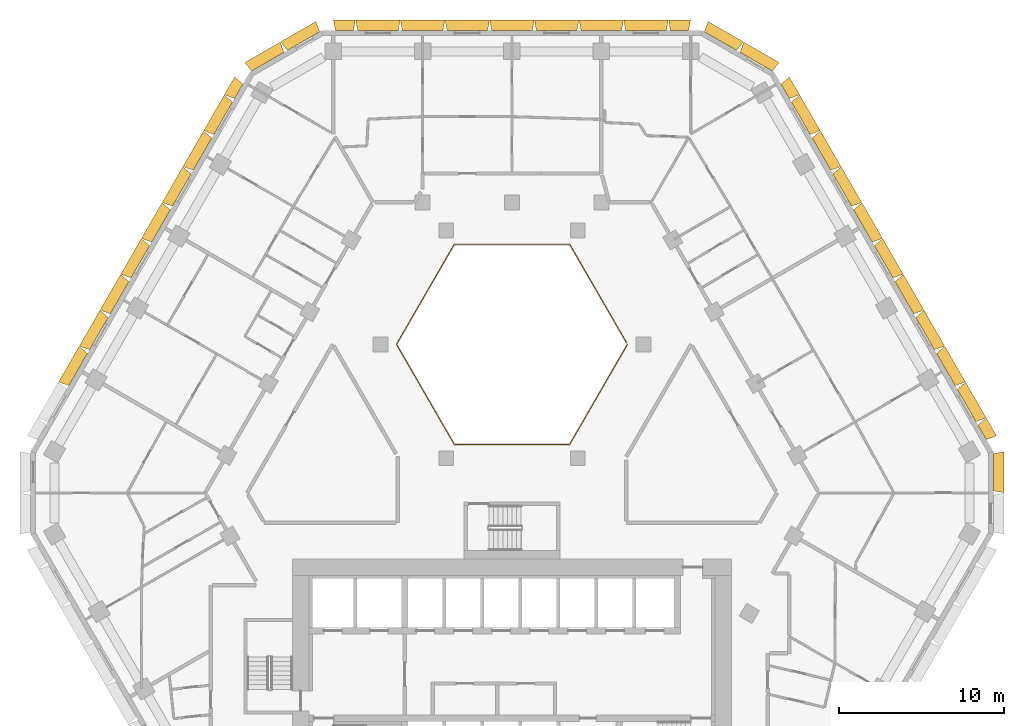
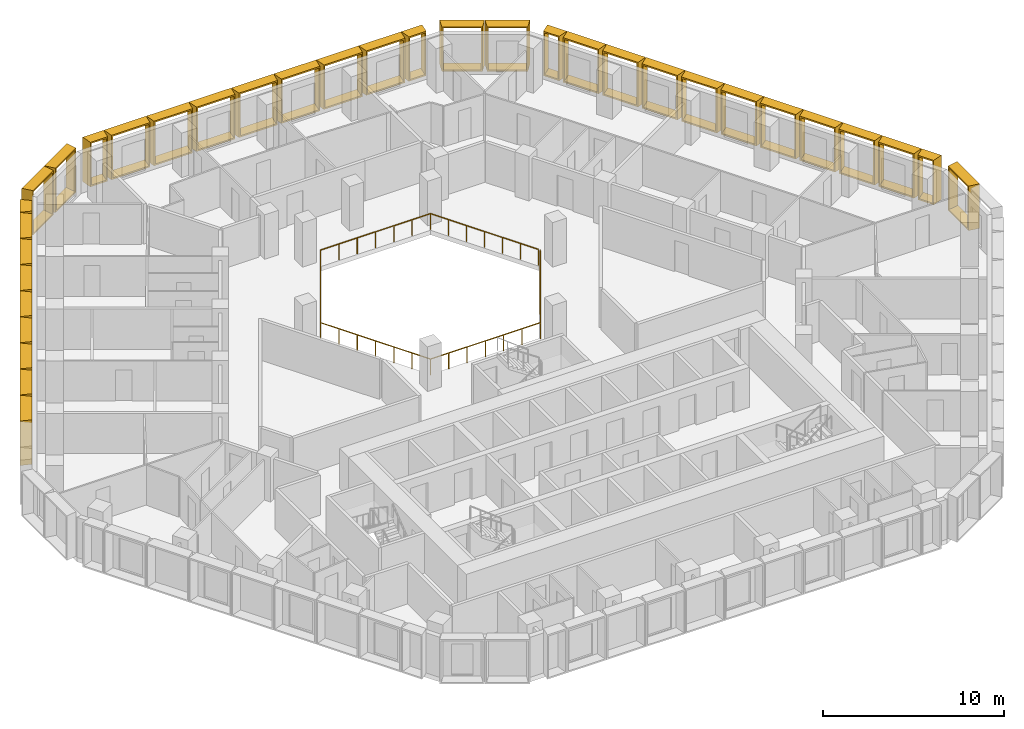
# One storey, part 15 of 15: 34 shading devices, 1 railing.
"""IFC4 building model written with IfcOpenShell, lengths in metres."""

from ifc_helpers import new_model, entity, si_unit, direction, frame, origin, origin_2d, place, context, subcontext, project, spatial, rectangle, extrude, source, transform, mapped, material, type_object, type_shapes, element, save


model = new_model("IFC4")

# Units and contexts
model_context = context("Model", 3, precision=1e-05, world=origin(), true_north=direction((0.0, 1.0)))
body_context = subcontext(model_context, "Body", "Model", "MODEL_VIEW")
ifc_project = project(units=[si_unit("LENGTHUNIT", "METRE"), si_unit("AREAUNIT", "SQUARE_METRE"), si_unit("VOLUMEUNIT", "CUBIC_METRE"), si_unit("PLANEANGLEUNIT", "RADIAN"), si_unit("MASSUNIT", "GRAM", prefix="KILO")], contexts=[model_context])

# Site, building, storey
site_placement = place(None, origin())
site = spatial("IfcSite", under=ifc_project, at=site_placement, CompositionType="ELEMENT")
building_placement = place(site_placement, origin())
building = spatial("IfcBuilding", under=site, at=building_placement, Name="Beryl Residences", CompositionType="ELEMENT")
storey_placement = place(building_placement, frame((0.0, 0.0, 102.0)))
storey = spatial("IfcBuildingStorey", under=building, at=storey_placement, Name="L31", CompositionType="ELEMENT", Elevation=102.0)

# Railing
ifc_material_1 = material(Name="Stainless steel balustrade with glass infill", Category="steel")
railing_type = type_object("IfcRailingType", Name="EG1 edge guard 1100 mm", PredefinedType="GUARDRAIL", material=ifc_material_1)
railing_placement = place(storey_placement, frame((6.9970703125, 8.0, 0.0)))
element("IfcRailing", 1, at=railing_placement, inside=storey, type_object=railing_type, Name="L31 atrium guard", PredefinedType="GUARDRAIL", context=body_context, shape_type="SweptSolid", body=[
    extrude(rectangle(XDim=0.048095703125, YDim=0.048095703125, at=origin_2d()), frame((0.0, 0.0, 1.076171875), z_axis=(-0.499921796684, -0.866070549782, 0.0), x_axis=(0.866070549782, -0.499921796684, 0.0)), (0.0, 0.0, 1.0), 6.9970703125),
    extrude(rectangle(XDim=0.048095703125, YDim=0.048095703125, at=origin_2d()), frame((-3.498046875, -6.06005859375, 1.076171875), z_axis=(-1.0, 0.0, 0.0), x_axis=(0.0, -1.0, 0.0)), (0.0, 0.0, 1.0), 6.998046875),
    extrude(rectangle(XDim=0.048095703125, YDim=0.048095703125, at=origin_2d()), frame((-10.49609375, -6.06005859375, 1.076171875), z_axis=(-0.499921796684, 0.866070549782, 0.0), x_axis=(-0.866070549782, -0.499921796684, 0.0)), (0.0, 0.0, 1.0), 6.9970703125),
    extrude(rectangle(XDim=0.048095703125, YDim=0.048095703125, at=origin_2d()), frame((-13.994140625, 0.0, 1.076171875), z_axis=(0.499921796684, 0.866070549782, 0.0), x_axis=(-0.866070549782, 0.499921796684, 0.0)), (0.0, 0.0, 1.0), 6.9970703125),
    extrude(rectangle(XDim=0.048095703125, YDim=0.048095703125, at=origin_2d()), frame((-10.49609375, 6.06005859375, 1.076171875), z_axis=(1.0, 0.0, 0.0), x_axis=(0.0, 1.0, 0.0)), (0.0, 0.0, 1.0), 6.998046875),
    extrude(rectangle(XDim=0.048095703125, YDim=0.048095703125, at=origin_2d()), frame((-3.498046875, 6.06005859375, 1.076171875), z_axis=(0.499919131929, -0.866072087953, 0.0), x_axis=(0.866072087953, 0.499919131929, 0.0)), (0.0, 0.0, 1.0), 6.877197265625),
    extrude(rectangle(XDim=0.0419921875, YDim=0.0419921875, at=origin_2d()), origin(), (0.0, 0.0, 1.0), 1.052001953125),
    extrude(rectangle(XDim=0.0419921875, YDim=0.0419921875, at=origin_2d()), frame((-0.5830078125, -1.010009765625, 0.0)), (0.0, 0.0, 1.0), 1.052001953125),
    extrude(rectangle(XDim=0.0419921875, YDim=0.0419921875, at=origin_2d()), frame((-1.166015625, -2.02001953125, 0.0)), (0.0, 0.0, 1.0), 1.052001953125),
    extrude(rectangle(XDim=0.0419921875, YDim=0.0419921875, at=origin_2d()), frame((-1.7490234375, -3.030029296875, 0.0)), (0.0, 0.0, 1.0), 1.052001953125),
    extrude(rectangle(XDim=0.0419921875, YDim=0.0419921875, at=origin_2d()), frame((-2.33203125, -4.0400390625, 0.0)), (0.0, 0.0, 1.0), 1.052001953125),
    extrude(rectangle(XDim=0.0419921875, YDim=0.0419921875, at=origin_2d()), frame((-2.9150390625, -5.050048828125, 0.0)), (0.0, 0.0, 1.0), 1.052001953125),
    extrude(rectangle(XDim=0.0419921875, YDim=0.0419921875, at=origin_2d()), frame((-3.498046875, -6.06005859375, 0.0)), (0.0, 0.0, 1.0), 1.052001953125),
    extrude(rectangle(XDim=0.0419921875, YDim=0.0419921875, at=origin_2d()), frame((-4.664306640625, -6.06005859375, 0.0)), (0.0, 0.0, 1.0), 1.052001953125),
    extrude(rectangle(XDim=0.0419921875, YDim=0.0419921875, at=origin_2d()), frame((-5.830810546875, -6.06005859375, 0.0)), (0.0, 0.0, 1.0), 1.052001953125),
    extrude(rectangle(XDim=0.0419921875, YDim=0.0419921875, at=origin_2d()), frame((-6.9970703125, -6.06005859375, 0.0)), (0.0, 0.0, 1.0), 1.052001953125),
    extrude(rectangle(XDim=0.0419921875, YDim=0.0419921875, at=origin_2d()), frame((-8.163330078125, -6.06005859375, 0.0)), (0.0, 0.0, 1.0), 1.052001953125),
    extrude(rectangle(XDim=0.0419921875, YDim=0.0419921875, at=origin_2d()), frame((-9.329833984375, -6.06005859375, 0.0)), (0.0, 0.0, 1.0), 1.052001953125),
    extrude(rectangle(XDim=0.0419921875, YDim=0.0419921875, at=origin_2d()), frame((-10.49609375, -6.06005859375, 0.0)), (0.0, 0.0, 1.0), 1.052001953125),
    extrude(rectangle(XDim=0.0419921875, YDim=0.0419921875, at=origin_2d()), frame((-11.0791015625, -5.050048828125, 0.0)), (0.0, 0.0, 1.0), 1.052001953125),
    extrude(rectangle(XDim=0.0419921875, YDim=0.0419921875, at=origin_2d()), frame((-11.662109375, -4.0400390625, 0.0)), (0.0, 0.0, 1.0), 1.052001953125),
    extrude(rectangle(XDim=0.0419921875, YDim=0.0419921875, at=origin_2d()), frame((-12.2451171875, -3.030029296875, 0.0)), (0.0, 0.0, 1.0), 1.052001953125),
    extrude(rectangle(XDim=0.0419921875, YDim=0.0419921875, at=origin_2d()), frame((-12.828125, -2.02001953125, 0.0)), (0.0, 0.0, 1.0), 1.052001953125),
    extrude(rectangle(XDim=0.0419921875, YDim=0.0419921875, at=origin_2d()), frame((-13.4111328125, -1.010009765625, 0.0)), (0.0, 0.0, 1.0), 1.052001953125),
    extrude(rectangle(XDim=0.0419921875, YDim=0.0419921875, at=origin_2d()), frame((-13.994140625, 0.0, 0.0)), (0.0, 0.0, 1.0), 1.052001953125),
    extrude(rectangle(XDim=0.0419921875, YDim=0.0419921875, at=origin_2d()), frame((-13.4111328125, 1.010009765625, 0.0)), (0.0, 0.0, 1.0), 1.052001953125),
    extrude(rectangle(XDim=0.0419921875, YDim=0.0419921875, at=origin_2d()), frame((-12.828125, 2.02001953125, 0.0)), (0.0, 0.0, 1.0), 1.052001953125),
    extrude(rectangle(XDim=0.0419921875, YDim=0.0419921875, at=origin_2d()), frame((-12.2451171875, 3.030029296875, 0.0)), (0.0, 0.0, 1.0), 1.052001953125),
    extrude(rectangle(XDim=0.0419921875, YDim=0.0419921875, at=origin_2d()), frame((-11.662109375, 4.0400390625, 0.0)), (0.0, 0.0, 1.0), 1.052001953125),
    extrude(rectangle(XDim=0.0419921875, YDim=0.0419921875, at=origin_2d()), frame((-11.0791015625, 5.050048828125, 0.0)), (0.0, 0.0, 1.0), 1.052001953125),
    extrude(rectangle(XDim=0.0419921875, YDim=0.0419921875, at=origin_2d()), frame((-10.49609375, 6.06005859375, 0.0)), (0.0, 0.0, 1.0), 1.052001953125),
    extrude(rectangle(XDim=0.0419921875, YDim=0.0419921875, at=origin_2d()), frame((-9.329833984375, 6.06005859375, 0.0)), (0.0, 0.0, 1.0), 1.052001953125),
    extrude(rectangle(XDim=0.0419921875, YDim=0.0419921875, at=origin_2d()), frame((-8.163330078125, 6.06005859375, 0.0)), (0.0, 0.0, 1.0), 1.052001953125),
    extrude(rectangle(XDim=0.0419921875, YDim=0.0419921875, at=origin_2d()), frame((-6.9970703125, 6.06005859375, 0.0)), (0.0, 0.0, 1.0), 1.052001953125),
    extrude(rectangle(XDim=0.0419921875, YDim=0.0419921875, at=origin_2d()), frame((-5.830810546875, 6.06005859375, 0.0)), (0.0, 0.0, 1.0), 1.052001953125),
    extrude(rectangle(XDim=0.0419921875, YDim=0.0419921875, at=origin_2d()), frame((-4.664306640625, 6.06005859375, 0.0)), (0.0, 0.0, 1.0), 1.052001953125),
    extrude(rectangle(XDim=0.0419921875, YDim=0.0419921875, at=origin_2d()), frame((-3.498046875, 6.06005859375, 0.0)), (0.0, 0.0, 1.0), 1.052001953125),
    extrude(rectangle(XDim=0.0419921875, YDim=0.0419921875, at=origin_2d()), frame((-2.925048828125, 5.0673828125, 0.0)), (0.0, 0.0, 1.0), 1.052001953125),
    extrude(rectangle(XDim=0.0419921875, YDim=0.0419921875, at=origin_2d()), frame((-2.35205078125, 4.07470703125, 0.0)), (0.0, 0.0, 1.0), 1.052001953125),
    extrude(rectangle(XDim=0.0419921875, YDim=0.0419921875, at=origin_2d()), frame((-1.779052734375, 3.08203125, 0.0)), (0.0, 0.0, 1.0), 1.052001953125),
    extrude(rectangle(XDim=0.0419921875, YDim=0.0419921875, at=origin_2d()), frame((-1.2060546875, 2.08935546875, 0.0)), (0.0, 0.0, 1.0), 1.052001953125),
    extrude(rectangle(XDim=0.0419921875, YDim=0.0419921875, at=origin_2d()), frame((-0.633056640625, 1.0966796875, 0.0)), (0.0, 0.0, 1.0), 1.052001953125),
    extrude(rectangle(XDim=0.0419921875, YDim=0.0419921875, at=origin_2d()), frame((-0.06005859375, 0.10400390625, 0.0)), (0.0, 0.0, 1.0), 1.052001953125),
])

# Shading devices
ifc_material_2 = material(Name="Aluminium pale anodised", Category="aluminium")
shading_device_type_1 = type_object("IfcShadingDeviceType", Name="FR126-65A OUTER SKIN frame 650 mm deep, splay 10/10 deg, 1260 x 3000 mm cell", PredefinedType="USERDEFINED", material=ifc_material_2)
cartesian_point_1 = entity("IfcCartesianPoint", [-0.5048828125, 0.0])
cartesian_point_2 = entity("IfcCartesianPoint", [-0.423828125, 0.10009765625])
cartesian_point_3 = entity("IfcCartesianPoint", [-0.61962890625, 0.0])
cartesian_point_4 = entity("IfcCartesianPoint", [-0.538330078125, 0.10009765625])
shared_shape_1 = source(origin(), body_context, "Body", "SweptSolid", [
    entity("IfcExtrudedAreaSolidTapered", entity("IfcArbitraryProfileDefWithVoids", "AREA", None, entity("IfcPolyline", [cartesian_point_1, entity("IfcCartesianPoint", [0.5048828125, 0.0]), entity("IfcCartesianPoint", [0.5048828125, 3.0]), entity("IfcCartesianPoint", [-0.5048828125, 3.0]), cartesian_point_1]), [entity("IfcPolyline", [cartesian_point_2, entity("IfcCartesianPoint", [0.423828125, 0.10009765625]), entity("IfcCartesianPoint", [0.423828125, 2.89990234375]), entity("IfcCartesianPoint", [-0.423828125, 2.89990234375]), cartesian_point_2])]), entity("IfcAxis2Placement3D", entity("IfcCartesianPoint", [0.0, 0.0, 0.0]), entity("IfcDirection", [0.0, 1.0, 0.0]), entity("IfcDirection", [-1.0, 0.0, 0.0])), entity("IfcDirection", [0.0, 0.0, 1.0]), 0.64990234375, entity("IfcArbitraryProfileDefWithVoids", "AREA", None, entity("IfcPolyline", [cartesian_point_3, entity("IfcCartesianPoint", [0.61962890625, 0.0]), entity("IfcCartesianPoint", [0.61962890625, 3.0]), entity("IfcCartesianPoint", [-0.61962890625, 3.0]), cartesian_point_3]), [entity("IfcPolyline", [cartesian_point_4, entity("IfcCartesianPoint", [0.538330078125, 0.10009765625]), entity("IfcCartesianPoint", [0.538330078125, 2.89990234375]), entity("IfcCartesianPoint", [-0.538330078125, 2.89990234375]), cartesian_point_4])])),
])
type_shapes(shading_device_type_1, [shared_shape_1])
for number, where, z_axis, x_axis, name in (
    (2, (-16.552001953125, 23.33203125, 0.0), (0.0, 0.0, 1.0), (0.5, 0.866025403784, 0.0), "FR126-65A frame L31 NW 1"),
    (3, (28.48193359375, 2.66796875, 0.0), (0.0, 0.0, 1.0), (0.5, -0.866025403784, 0.0), "FR126-65A frame L31 NE 1"),
    (4, (16.552001953125, 23.3310546875, 0.0), (0.0, 0.0, 1.0), (0.5, -0.866025403784, 0.0), "FR126-65A frame L31 NE 11"),
):
    element("IfcShadingDevice", number, at=place(storey_placement, frame(where, z_axis=z_axis, x_axis=x_axis)), inside=storey, type_object=shading_device_type_1, Name=name, ObjectType="OUTER SKIN", PredefinedType="USERDEFINED", context=body_context, shape_type="MappedRepresentation", body=[
        mapped(shared_shape_1, transform((0.0, 0.0, 0.0))),
    ])
ifc_material_3 = material(Name="Aluminium pale anodised", Category="aluminium")
shading_device_type_2 = type_object("IfcShadingDeviceType", Name="FR135-65A OUTER SKIN frame 650 mm deep, splay 10/10 deg, 1350 x 3000 mm cell", PredefinedType="USERDEFINED", material=ifc_material_3)
cartesian_point_5 = entity("IfcCartesianPoint", [-0.550048828125, 0.0])
cartesian_point_6 = entity("IfcCartesianPoint", [-0.46875, 0.10009765625])
cartesian_point_7 = entity("IfcCartesianPoint", [-0.66455078125, 0.0])
cartesian_point_8 = entity("IfcCartesianPoint", [-0.58349609375, 0.10009765625])
shared_shape_2 = source(origin(), body_context, "Body", "SweptSolid", [
    entity("IfcExtrudedAreaSolidTapered", entity("IfcArbitraryProfileDefWithVoids", "AREA", None, entity("IfcPolyline", [cartesian_point_5, entity("IfcCartesianPoint", [0.550048828125, 0.0]), entity("IfcCartesianPoint", [0.550048828125, 3.0]), entity("IfcCartesianPoint", [-0.550048828125, 3.0]), cartesian_point_5]), [entity("IfcPolyline", [cartesian_point_6, entity("IfcCartesianPoint", [0.46875, 0.10009765625]), entity("IfcCartesianPoint", [0.46875, 2.89990234375]), entity("IfcCartesianPoint", [-0.46875, 2.89990234375]), cartesian_point_6])]), entity("IfcAxis2Placement3D", entity("IfcCartesianPoint", [0.0, 0.0, 0.0]), entity("IfcDirection", [0.0, 1.0, 0.0]), entity("IfcDirection", [-1.0, 0.0, 0.0])), entity("IfcDirection", [0.0, 0.0, 1.0]), 0.64990234375, entity("IfcArbitraryProfileDefWithVoids", "AREA", None, entity("IfcPolyline", [cartesian_point_7, entity("IfcCartesianPoint", [0.66455078125, 0.0]), entity("IfcCartesianPoint", [0.66455078125, 3.0]), entity("IfcCartesianPoint", [-0.66455078125, 3.0]), cartesian_point_7]), [entity("IfcPolyline", [cartesian_point_8, entity("IfcCartesianPoint", [0.58349609375, 0.10009765625]), entity("IfcCartesianPoint", [0.58349609375, 2.89990234375]), entity("IfcCartesianPoint", [-0.58349609375, 2.89990234375]), cartesian_point_8])])),
])
type_shapes(shading_device_type_2, [shared_shape_2])
for number, where, z_axis, x_axis, name in (
    (5, (10.14794921875, 27.0, 0.0), (0.0, 0.0, 1.0), (1.0, 0.0, 0.0), "FR135-65A frame L31 N 1"),
    (6, (-10.14990234375, 27.0, 0.0), (0.0, 0.0, 1.0), (1.0, 0.0, 0.0), "FR135-65A frame L31 N 9"),
):
    element("IfcShadingDevice", number, at=place(storey_placement, frame(where, z_axis=z_axis, x_axis=x_axis)), inside=storey, type_object=shading_device_type_2, Name=name, ObjectType="OUTER SKIN", PredefinedType="USERDEFINED", context=body_context, shape_type="MappedRepresentation", body=[
        mapped(shared_shape_2, transform((0.0, 0.0, 0.0))),
    ])
ifc_material_4 = material(Name="Aluminium pale anodised", Category="aluminium")
shading_device_type_3 = type_object("IfcShadingDeviceType", Name="FR250-65A OUTER SKIN frame 650 mm deep, splay 10/10 deg, 2500 x 3000 mm cell", PredefinedType="USERDEFINED", material=ifc_material_4)
cartesian_point_9 = entity("IfcCartesianPoint", [-1.125, 0.0])
cartesian_point_10 = entity("IfcCartesianPoint", [-1.043701171875, 0.10009765625])
cartesian_point_11 = entity("IfcCartesianPoint", [-1.239501953125, 0.0])
cartesian_point_12 = entity("IfcCartesianPoint", [-1.158447265625, 0.10009765625])
shared_shape_3 = source(origin(), body_context, "Body", "SweptSolid", [
    entity("IfcExtrudedAreaSolidTapered", entity("IfcArbitraryProfileDefWithVoids", "AREA", None, entity("IfcPolyline", [cartesian_point_9, entity("IfcCartesianPoint", [1.125, 0.0]), entity("IfcCartesianPoint", [1.125, 3.0]), entity("IfcCartesianPoint", [-1.125, 3.0]), cartesian_point_9]), [entity("IfcPolyline", [cartesian_point_10, entity("IfcCartesianPoint", [1.043701171875, 0.10009765625]), entity("IfcCartesianPoint", [1.043701171875, 2.89990234375]), entity("IfcCartesianPoint", [-1.043701171875, 2.89990234375]), cartesian_point_10])]), entity("IfcAxis2Placement3D", entity("IfcCartesianPoint", [0.0, 0.0, 0.0]), entity("IfcDirection", [0.0, 1.0, 0.0]), entity("IfcDirection", [-1.0, 0.0, 0.0])), entity("IfcDirection", [0.0, 0.0, 1.0]), 0.64990234375, entity("IfcArbitraryProfileDefWithVoids", "AREA", None, entity("IfcPolyline", [cartesian_point_11, entity("IfcCartesianPoint", [1.239501953125, 0.0]), entity("IfcCartesianPoint", [1.239501953125, 3.0]), entity("IfcCartesianPoint", [-1.239501953125, 3.0]), cartesian_point_11]), [entity("IfcPolyline", [cartesian_point_12, entity("IfcCartesianPoint", [1.158447265625, 0.10009765625]), entity("IfcCartesianPoint", [1.158447265625, 2.89990234375]), entity("IfcCartesianPoint", [-1.158447265625, 2.89990234375]), cartesian_point_12])])),
])
type_shapes(shading_device_type_3, [shared_shape_3])
for number, where, z_axis, x_axis, name in (
    (7, (-12.6298828125, 26.375, 0.0), (0.0, 0.0, 1.0), (0.866025403784, 0.5, 0.0), "FR250-65A frame L31 N-NW 1"),
    (8, (-14.7939453125, 25.125, 0.0), (0.0, 0.0, 1.0), (0.866025403784, 0.5, 0.0), "FR250-65A frame L31 N-NW 2"),
    (9, (29.156982421875, 0.25, 0.0), (0.0, 0.0, 1.0), (0.0, -1.0, 0.0), "FR250-65A frame L31 SE-NE 2"),
    (10, (14.7939453125, 25.125, 0.0), (0.0, 0.0, 1.0), (0.866025403784, -0.5, 0.0), "FR250-65A frame L31 NE-N 1"),
    (11, (12.6298828125, 26.375, 0.0), (0.0, 0.0, 1.0), (0.866025403784, -0.5, 0.0), "FR250-65A frame L31 NE-N 2"),
):
    element("IfcShadingDevice", number, at=place(storey_placement, frame(where, z_axis=z_axis, x_axis=x_axis)), inside=storey, type_object=shading_device_type_3, Name=name, ObjectType="OUTER SKIN", PredefinedType="USERDEFINED", context=body_context, shape_type="MappedRepresentation", body=[
        mapped(shared_shape_3, transform((0.0, 0.0, 0.0))),
    ])
ifc_material_5 = material(Name="Aluminium pale anodised", Category="aluminium")
shading_device_type_4 = type_object("IfcShadingDeviceType", Name="FR251-65A OUTER SKIN frame 650 mm deep, splay 10/10 deg, 2510 x 3000 mm cell", PredefinedType="USERDEFINED", material=ifc_material_5)
cartesian_point_13 = entity("IfcCartesianPoint", [-1.1298828125, 0.0])
cartesian_point_14 = entity("IfcCartesianPoint", [-1.048828125, 0.10009765625])
cartesian_point_15 = entity("IfcCartesianPoint", [-1.24462890625, 0.0])
cartesian_point_16 = entity("IfcCartesianPoint", [-1.163330078125, 0.10009765625])
shared_shape_4 = source(origin(), body_context, "Body", "SweptSolid", [
    entity("IfcExtrudedAreaSolidTapered", entity("IfcArbitraryProfileDefWithVoids", "AREA", None, entity("IfcPolyline", [cartesian_point_13, entity("IfcCartesianPoint", [1.1298828125, 0.0]), entity("IfcCartesianPoint", [1.1298828125, 3.0]), entity("IfcCartesianPoint", [-1.1298828125, 3.0]), cartesian_point_13]), [entity("IfcPolyline", [cartesian_point_14, entity("IfcCartesianPoint", [1.048828125, 0.10009765625]), entity("IfcCartesianPoint", [1.048828125, 2.89990234375]), entity("IfcCartesianPoint", [-1.048828125, 2.89990234375]), cartesian_point_14])]), entity("IfcAxis2Placement3D", entity("IfcCartesianPoint", [0.0, 0.0, 0.0]), entity("IfcDirection", [0.0, 1.0, 0.0]), entity("IfcDirection", [-1.0, 0.0, 0.0])), entity("IfcDirection", [0.0, 0.0, 1.0]), 0.64990234375, entity("IfcArbitraryProfileDefWithVoids", "AREA", None, entity("IfcPolyline", [cartesian_point_15, entity("IfcCartesianPoint", [1.24462890625, 0.0]), entity("IfcCartesianPoint", [1.24462890625, 3.0]), entity("IfcCartesianPoint", [-1.24462890625, 3.0]), cartesian_point_15]), [entity("IfcPolyline", [cartesian_point_16, entity("IfcCartesianPoint", [1.163330078125, 0.10009765625]), entity("IfcCartesianPoint", [1.163330078125, 2.89990234375]), entity("IfcCartesianPoint", [-1.163330078125, 2.89990234375]), cartesian_point_16])])),
])
type_shapes(shading_device_type_4, [shared_shape_4])
for number, where, z_axis, x_axis, name in (
    (12, (-17.493896484375, 21.699951171875, 0.0), (0.0, 0.0, 1.0), (0.5, 0.866025403784, 0.0), "FR251-65A frame L31 NW 2"),
    (13, (-18.7490234375, 19.52490234375, 0.0), (0.0, 0.0, 1.0), (0.5, 0.866025403784, 0.0), "FR251-65A frame L31 NW 3"),
    (14, (-20.0048828125, 17.35009765625, 0.0), (0.0, 0.0, 1.0), (0.5, 0.866025403784, 0.0), "FR251-65A frame L31 NW 4"),
    (15, (-21.260986328125, 15.175048828125, 0.0), (0.0, 0.0, 1.0), (0.5, 0.866025403784, 0.0), "FR251-65A frame L31 NW 5"),
    (16, (-22.51708984375, 13.0, 0.0), (0.0, 0.0, 1.0), (0.5, 0.866025403784, 0.0), "FR251-65A frame L31 NW 6"),
    (17, (-23.77294921875, 10.824951171875, 0.0), (0.0, 0.0, 1.0), (0.5, 0.866025403784, 0.0), "FR251-65A frame L31 NW 7"),
    (18, (-25.028076171875, 8.64990234375, 0.0), (0.0, 0.0, 1.0), (0.5, 0.866025403784, 0.0), "FR251-65A frame L31 NW 8"),
    (19, (-26.283935546875, 6.47509765625, 0.0), (0.0, 0.0, 1.0), (0.5, 0.866025403784, 0.0), "FR251-65A frame L31 NW 9"),
    (20, (27.5400390625, 4.300048828125, 0.0), (0.0, 0.0, 1.0), (0.5, -0.866025403784, 0.0), "FR251-65A frame L31 NE 2"),
    (21, (26.284912109375, 6.47509765625, 0.0), (0.0, 0.0, 1.0), (0.5, -0.866025403784, 0.0), "FR251-65A frame L31 NE 3"),
    (22, (25.029052734375, 8.64990234375, 0.0), (0.0, 0.0, 1.0), (0.5, -0.866025403784, 0.0), "FR251-65A frame L31 NE 4"),
    (23, (23.77294921875, 10.824951171875, 0.0), (0.0, 0.0, 1.0), (0.5, -0.866025403784, 0.0), "FR251-65A frame L31 NE 5"),
    (24, (22.51708984375, 13.0, 0.0), (0.0, 0.0, 1.0), (0.5, -0.866025403784, 0.0), "FR251-65A frame L31 NE 6"),
    (25, (21.260986328125, 15.175048828125, 0.0), (0.0, 0.0, 1.0), (0.5, -0.866025403784, 0.0), "FR251-65A frame L31 NE 7"),
    (26, (20.006103515625, 17.35009765625, 0.0), (0.0, 0.0, 1.0), (0.5, -0.866025403784, 0.0), "FR251-65A frame L31 NE 8"),
    (27, (18.75, 19.52490234375, 0.0), (0.0, 0.0, 1.0), (0.5, -0.866025403784, 0.0), "FR251-65A frame L31 NE 9"),
    (28, (17.493896484375, 21.699951171875, 0.0), (0.0, 0.0, 1.0), (0.5, -0.866025403784, 0.0), "FR251-65A frame L31 NE 10"),
):
    element("IfcShadingDevice", number, at=place(storey_placement, frame(where, z_axis=z_axis, x_axis=x_axis)), inside=storey, type_object=shading_device_type_4, Name=name, ObjectType="OUTER SKIN", PredefinedType="USERDEFINED", context=body_context, shape_type="MappedRepresentation", body=[
        mapped(shared_shape_4, transform((0.0, 0.0, 0.0))),
    ])
ifc_material_6 = material(Name="Aluminium pale anodised", Category="aluminium")
shading_device_type_5 = type_object("IfcShadingDeviceType", Name="FR271-65A OUTER SKIN frame 650 mm deep, splay 10/10 deg, 2710 x 3000 mm cell", PredefinedType="USERDEFINED", material=ifc_material_6)
cartesian_point_17 = entity("IfcCartesianPoint", [-1.22998046875, 0.0])
cartesian_point_18 = entity("IfcCartesianPoint", [-1.148681640625, 0.10009765625])
cartesian_point_19 = entity("IfcCartesianPoint", [-1.3447265625, 0.0])
cartesian_point_20 = entity("IfcCartesianPoint", [-1.263427734375, 0.10009765625])
shared_shape_5 = source(origin(), body_context, "Body", "SweptSolid", [
    entity("IfcExtrudedAreaSolidTapered", entity("IfcArbitraryProfileDefWithVoids", "AREA", None, entity("IfcPolyline", [cartesian_point_17, entity("IfcCartesianPoint", [1.22998046875, 0.0]), entity("IfcCartesianPoint", [1.22998046875, 3.0]), entity("IfcCartesianPoint", [-1.22998046875, 3.0]), cartesian_point_17]), [entity("IfcPolyline", [cartesian_point_18, entity("IfcCartesianPoint", [1.148681640625, 0.10009765625]), entity("IfcCartesianPoint", [1.148681640625, 2.89990234375]), entity("IfcCartesianPoint", [-1.148681640625, 2.89990234375]), cartesian_point_18])]), entity("IfcAxis2Placement3D", entity("IfcCartesianPoint", [0.0, 0.0, 0.0]), entity("IfcDirection", [0.0, 1.0, 0.0]), entity("IfcDirection", [-1.0, 0.0, 0.0])), entity("IfcDirection", [0.0, 0.0, 1.0]), 0.64990234375, entity("IfcArbitraryProfileDefWithVoids", "AREA", None, entity("IfcPolyline", [cartesian_point_19, entity("IfcCartesianPoint", [1.3447265625, 0.0]), entity("IfcCartesianPoint", [1.3447265625, 3.0]), entity("IfcCartesianPoint", [-1.3447265625, 3.0]), cartesian_point_19]), [entity("IfcPolyline", [cartesian_point_20, entity("IfcCartesianPoint", [1.263427734375, 0.10009765625]), entity("IfcCartesianPoint", [1.263427734375, 2.89990234375]), entity("IfcCartesianPoint", [-1.263427734375, 2.89990234375]), cartesian_point_20])])),
])
type_shapes(shading_device_type_5, [shared_shape_5])
for number, where, z_axis, x_axis, name in (
    (29, (8.118896484375, 27.0, 0.0), (0.0, 0.0, 1.0), (1.0, 0.0, 0.0), "FR271-65A frame L31 N 2"),
    (30, (5.412109375, 27.0, 0.0), (0.0, 0.0, 1.0), (1.0, 0.0, 0.0), "FR271-65A frame L31 N 3"),
    (31, (2.705078125, 27.0, 0.0), (0.0, 0.0, 1.0), (1.0, 0.0, 0.0), "FR271-65A frame L31 N 4"),
    (32, (-0.0009765625, 27.0, 0.0), (0.0, 0.0, 1.0), (1.0, 0.0, 0.0), "FR271-65A frame L31 N 5"),
    (33, (-2.70703125, 27.0, 0.0), (0.0, 0.0, 1.0), (1.0, 0.0, 0.0), "FR271-65A frame L31 N 6"),
    (34, (-5.4140625, 27.0, 0.0), (0.0, 0.0, 1.0), (1.0, 0.0, 0.0), "FR271-65A frame L31 N 7"),
    (35, (-8.1201171875, 27.0, 0.0), (0.0, 0.0, 1.0), (1.0, 0.0, 0.0), "FR271-65A frame L31 N 8"),
):
    element("IfcShadingDevice", number, at=place(storey_placement, frame(where, z_axis=z_axis, x_axis=x_axis)), inside=storey, type_object=shading_device_type_5, Name=name, ObjectType="OUTER SKIN", PredefinedType="USERDEFINED", context=body_context, shape_type="MappedRepresentation", body=[
        mapped(shared_shape_5, transform((0.0, 0.0, 0.0))),
    ])

save(model, "model.ifc")
